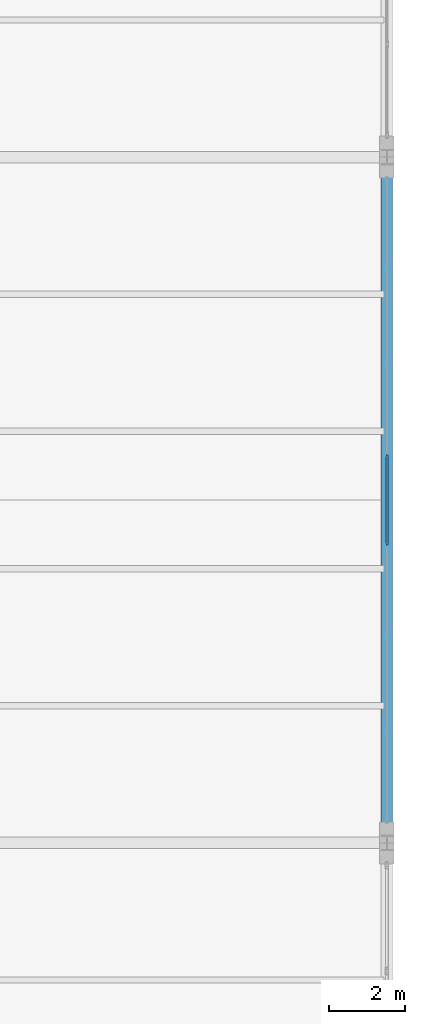
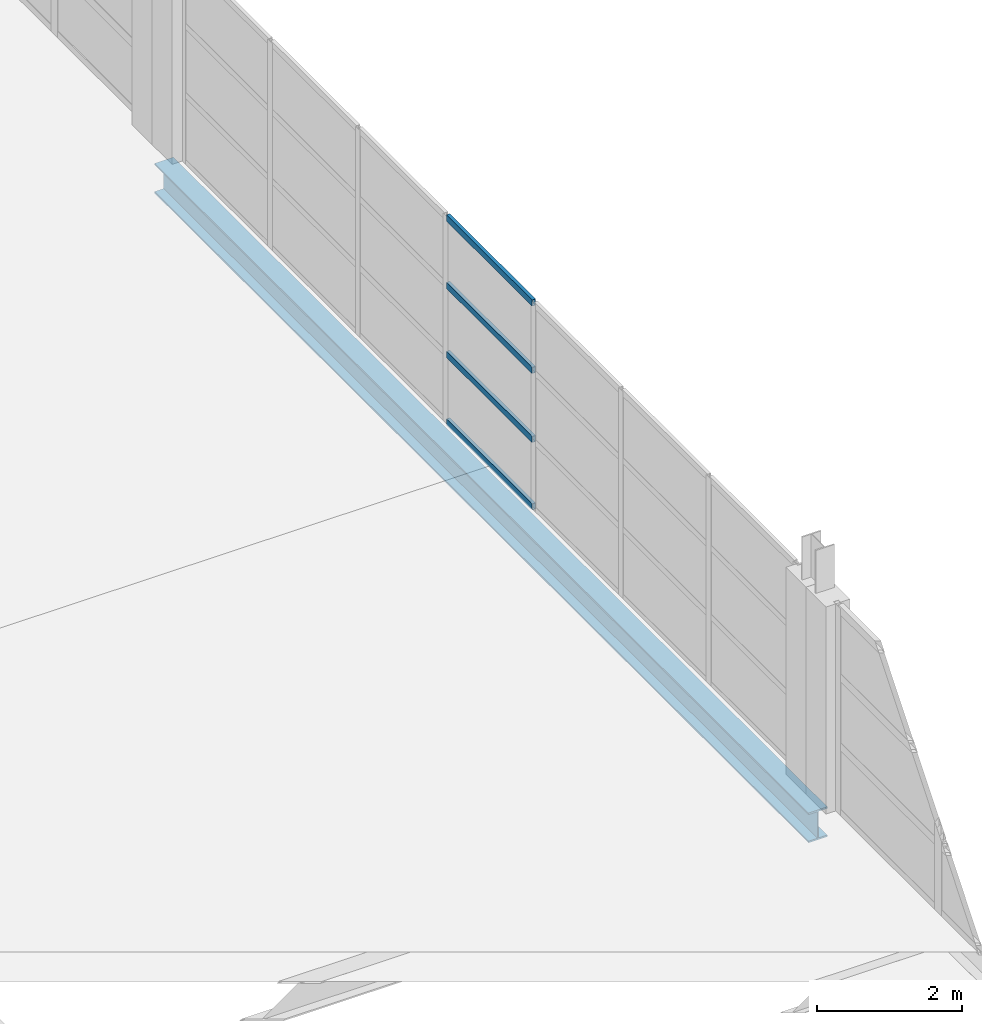
# One storey, part 87 of 158: 4 members, 1 beam, 1 element without a shape of its own.
"""IFC4 building model written with IfcOpenShell, lengths in metres."""

from ifc_helpers import new_model, si_unit, direction, frame, origin, origin_2d, place, context, subcontext, project, spatial, hollow_rectangle, i_section, extrude, material, layer, layer_set, material_profile, profile_set, type_object, element, aggregate, save


model = new_model("IFC4")

# Units and contexts
model_context = context("Model", 3, precision=1e-05, world=origin(), true_north=direction((0.0, 1.0)))
body_context = subcontext(model_context, "Body", "Model", "MODEL_VIEW")
ifc_project = project(units=[si_unit("LENGTHUNIT", "METRE"), si_unit("AREAUNIT", "SQUARE_METRE"), si_unit("VOLUMEUNIT", "CUBIC_METRE"), si_unit("PLANEANGLEUNIT", "RADIAN"), si_unit("MASSUNIT", "GRAM", prefix="KILO")], contexts=[model_context])

# Site, building, storey
site_placement = place(None, origin())
site = spatial("IfcSite", under=ifc_project, at=site_placement, CompositionType="ELEMENT")
building_placement = place(site_placement, origin())
building = spatial("IfcBuilding", under=site, at=building_placement, Name="Zilviju Railside Exhibition Hall", CompositionType="ELEMENT")
storey_placement = place(building_placement, frame((0.0, 0.0, 4.199951171875)))
storey = spatial("IfcBuildingStorey", under=building, at=storey_placement, Name="L02", CompositionType="ELEMENT", Elevation=4.199951171875)

# Beam
ifc_material_1 = material(Name="Steel S355J2", Category="steel")
ifc_material_profile_1 = material_profile(ifc_material_1, i_section(OverallWidth=0.300048828125, OverallDepth=0.5, WebThickness=0.014404296875, FlangeThickness=0.028076171875, at=origin_2d()), Name="HEB 500")
ifc_profile_set_1 = profile_set([ifc_material_profile_1], Name="Steel S355J2")
beam_type = type_object("IfcBeamType", Name="BM-HEB500", PredefinedType="BEAM", material=ifc_profile_set_1)
beam_placement = place(storey_placement, frame((216.0, 18.0, -0.579833984375), z_axis=(0.0, 1.0, 0.0), x_axis=(-1.0, 0.0, 0.0)))
element("IfcBeam", 1, at=beam_placement, inside=storey, type_object=beam_type, Name="Transverse Girder L02 X=216.0 (18.0..36.0)", PredefinedType="BEAM", context=body_context, shape_type="SweptSolid", body=[
    extrude(i_section(OverallWidth=0.300048828125, OverallDepth=0.5, WebThickness=0.014404296875, FlangeThickness=0.028076171875, at=origin_2d()), origin(), (0.0, 0.0, 1.0), 18.0),
])

# Curtain wall, members
ifc_material_2 = material(Name="Thermally broken aluminium-steel triple-glazed curtain wall", Category="steel")
ifc_layer = layer(ifc_material_2, 0.179931640625)
ifc_layer_set = layer_set([ifc_layer], Name="Thermally broken aluminium-steel triple-glazed curtain wall")
curtain_wall_type = type_object("IfcCurtainWallType", Name="CW-BAY-10", PredefinedType="USERDEFINED", material=ifc_layer_set)
curtain_wall_placement = place(storey_placement, origin())
curtain_wall = element("IfcCurtainWall", 2, at=curtain_wall_placement, inside=storey, type_object=curtain_wall_type, Name="South Hall East Glazed Gable L02 (18..36)", ObjectType="GLAZED CURTAIN WALL", PredefinedType="USERDEFINED")
ifc_material_3 = material(Name="Thermally broken anodized aluminium transom", Category="aluminium")
ifc_material_profile_2 = material_profile(ifc_material_3, hollow_rectangle(XDim=0.054931640625, YDim=0.10498046875, WallThickness=0.0048828125, at=origin_2d()), Name="TRANSOM 105x55x5")
ifc_profile_set_2 = profile_set([ifc_material_profile_2], Name="Thermally broken anodized aluminium transom")
member_type = type_object("IfcMemberType", Name="CWT-55x105", PredefinedType="USERDEFINED", material=ifc_profile_set_2)
member_1_placement = place(storey_placement, frame((216.0, 28.1796875, 0.027587890625), z_axis=(0.0, -1.0, 0.0), x_axis=(1.0, 0.0, 0.0)))
member_1 = element("IfcMember", 3, at=member_1_placement, type_object=member_type, Name="CW-10 transom 4.1", ObjectType="TRANSOM", PredefinedType="USERDEFINED", context=body_context, shape_type="SweptSolid", body=[
    extrude(hollow_rectangle(XDim=0.054931640625, YDim=0.10498046875, WallThickness=0.0048828125, at=origin_2d()), origin(), (0.0, 0.0, 1.0), 2.359375),
])
member_2_placement = place(storey_placement, frame((216.0, 28.1796875, 1.16015625), z_axis=(0.0, -1.0, 0.0), x_axis=(1.0, 0.0, 0.0)))
member_2 = element("IfcMember", 4, at=member_2_placement, type_object=member_type, Name="CW-10 transom 4.2", ObjectType="TRANSOM", PredefinedType="USERDEFINED", context=body_context, shape_type="SweptSolid", body=[
    extrude(hollow_rectangle(XDim=0.054931640625, YDim=0.10498046875, WallThickness=0.0048828125, at=origin_2d()), origin(), (0.0, 0.0, 1.0), 2.359375),
])
member_3_placement = place(storey_placement, frame((216.0, 28.1796875, 2.320068359375), z_axis=(0.0, -1.0, 0.0), x_axis=(1.0, 0.0, 0.0)))
member_3 = element("IfcMember", 5, at=member_3_placement, type_object=member_type, Name="CW-10 transom 4.3", ObjectType="TRANSOM", PredefinedType="USERDEFINED", context=body_context, shape_type="SweptSolid", body=[
    extrude(hollow_rectangle(XDim=0.054931640625, YDim=0.10498046875, WallThickness=0.0048828125, at=origin_2d()), origin(), (0.0, 0.0, 1.0), 2.359375),
])
member_4_placement = place(storey_placement, frame((216.0, 28.1796875, 3.45263671875), z_axis=(0.0, -1.0, 0.0), x_axis=(1.0, 0.0, 0.0)))
member_4 = element("IfcMember", 6, at=member_4_placement, type_object=member_type, Name="CW-10 transom 4.4", ObjectType="TRANSOM", PredefinedType="USERDEFINED", context=body_context, shape_type="SweptSolid", body=[
    extrude(hollow_rectangle(XDim=0.054931640625, YDim=0.10498046875, WallThickness=0.0048828125, at=origin_2d()), origin(), (0.0, 0.0, 1.0), 2.359375),
])
aggregate(curtain_wall, [member_1, member_2, member_3, member_4])

save(model, "model.ifc")
